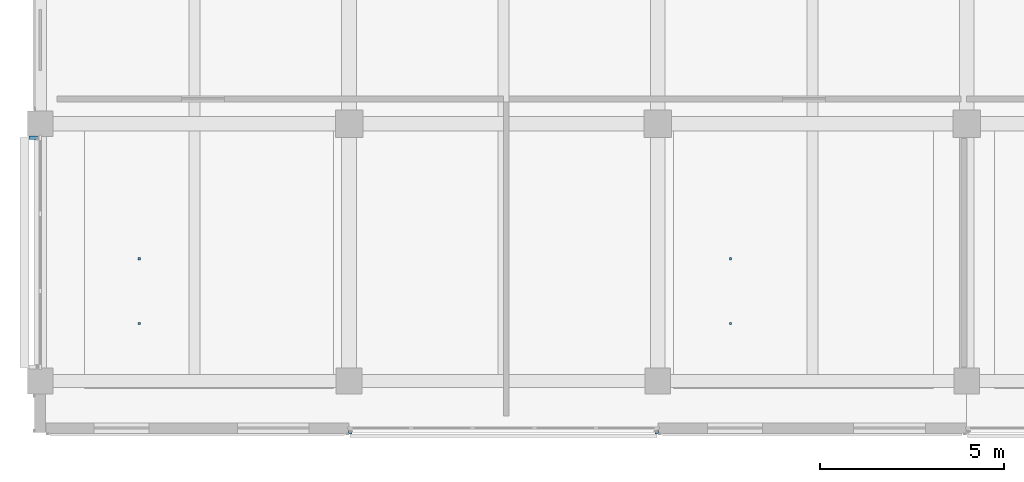
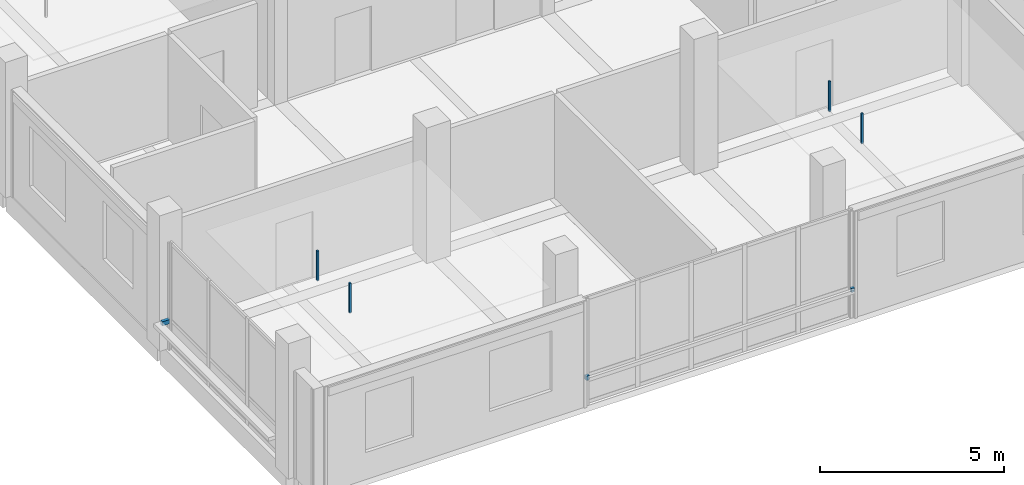
# One storey, part 15 of 32: 7 discrete accessories.
"""IFC4 building model written with IfcOpenShell, lengths in metres."""

from ifc_helpers import new_model, si_unit, direction, frame, origin, origin_2d, place, context, subcontext, project, spatial, rectangle, extrude, material, type_object, element, save


model = new_model("IFC4")

# Units and contexts
model_context = context("Model", 3, precision=1e-05, world=origin(), true_north=direction((0.0, 1.0)))
body_context = subcontext(model_context, "Body", "Model", "MODEL_VIEW")
ifc_project = project(units=[si_unit("LENGTHUNIT", "METRE"), si_unit("AREAUNIT", "SQUARE_METRE"), si_unit("VOLUMEUNIT", "CUBIC_METRE"), si_unit("PLANEANGLEUNIT", "RADIAN"), si_unit("MASSUNIT", "GRAM", prefix="KILO")], contexts=[model_context])

# Site, building, storey
site_placement = place(None, origin())
site = spatial("IfcSite", under=ifc_project, at=site_placement, CompositionType="ELEMENT")
building_placement = place(site_placement, origin())
building = spatial("IfcBuilding", under=site, at=building_placement, Name="Telukmera Botanical Conservatory", CompositionType="ELEMENT")
storey_placement = place(building_placement, frame((0.0, 0.0, 42.0)))
storey = spatial("IfcBuildingStorey", under=building, at=storey_placement, Name="L09", CompositionType="ELEMENT", Elevation=42.0)

# Discrete accessories
ifc_material = material(Name="Steel S355", Category="steel")
discrete_accessory_type_1 = type_object("IfcDiscreteAccessoryType", Name="ACC-CEIL-HGR", PredefinedType="BRACKET", material=ifc_material)
for number, where, z_axis, x_axis, name in (
    (1, (53.091552734375, 12.16259765625, 3.31982421875), (0.0, 0.0, 1.0), (1.0, 0.0, 0.0), "L09 Suspended Ceiling Hanger Rod 029-1"),
    (2, (53.091552734375, 13.925048828125, 3.31982421875), (0.0, 0.0, 1.0), (1.0, 0.0, 0.0), "L09 Suspended Ceiling Hanger Rod 029-2"),
):
    element("IfcDiscreteAccessory", number, at=place(storey_placement, frame(where, z_axis=z_axis, x_axis=x_axis)), inside=storey, type_object=discrete_accessory_type_1, Name=name, PredefinedType="BRACKET", context=body_context, shape_type="SweptSolid", body=[
        extrude(rectangle(XDim=0.06005859375, YDim=0.06005859375, at=origin_2d()), origin(), (0.0, 0.0, 1.0), 0.985107421875),
    ])
for number, where, z_axis, x_axis, name in (
    (3, (69.177490234375, 12.16259765625, 3.31005859375), (0.0, 0.0, 1.0), (1.0, 0.0, 0.0), "L09 Suspended Ceiling Hanger Rod 030-1"),
    (4, (69.177490234375, 13.925048828125, 3.31005859375), (0.0, 0.0, 1.0), (1.0, 0.0, 0.0), "L09 Suspended Ceiling Hanger Rod 030-2"),
):
    element("IfcDiscreteAccessory", number, at=place(storey_placement, frame(where, z_axis=z_axis, x_axis=x_axis)), inside=storey, type_object=discrete_accessory_type_1, Name=name, PredefinedType="BRACKET", context=body_context, shape_type="SweptSolid", body=[
        extrude(rectangle(XDim=0.06005859375, YDim=0.06005859375, at=origin_2d()), origin(), (0.0, 0.0, 1.0), 0.9951171875),
    ])
discrete_accessory_type_2 = type_object("IfcDiscreteAccessoryType", Name="Structural Steel Facade Outrigger Fin Bracket", PredefinedType="BRACKET", material=ifc_material)
for number, where, z_axis, x_axis, name in (
    (5, (58.83203125, 9.205078125, 0.8798828125), (0.0, 0.0, 1.0), (1.0, 0.0, 0.0), "Facade Outrigger Bracket V4:L09:S2 A"),
    (6, (67.16796875, 9.205078125, 0.8798828125), (0.0, 0.0, 1.0), (1.0, 0.0, 0.0), "Facade Outrigger Bracket V4:L09:S2 B"),
):
    element("IfcDiscreteAccessory", number, at=place(storey_placement, frame(where, z_axis=z_axis, x_axis=x_axis)), inside=storey, type_object=discrete_accessory_type_2, Name=name, PredefinedType="BRACKET", context=body_context, shape_type="SweptSolid", body=[
        extrude(rectangle(XDim=0.10009765625, YDim=0.090087890625, at=origin_2d()), origin(), (0.0, 0.0, 1.0), 0.139892578125),
    ])
discrete_accessory_placement = place(storey_placement, frame((50.2099609375, 17.218017578125, 0.8798828125), z_axis=(0.0, 0.0, 1.0), x_axis=(0.0, 1.0, 0.0)))
element("IfcDiscreteAccessory", 7, at=discrete_accessory_placement, inside=storey, type_object=discrete_accessory_type_2, Name="Facade Outrigger Bracket V4:L09:W1 B", PredefinedType="BRACKET", context=body_context, shape_type="SweptSolid", body=[
    extrude(rectangle(XDim=0.10009765625, YDim=0.239990234375, at=origin_2d()), origin(), (0.0, 0.0, 1.0), 0.139892578125),
])

save(model, "model.ifc")
